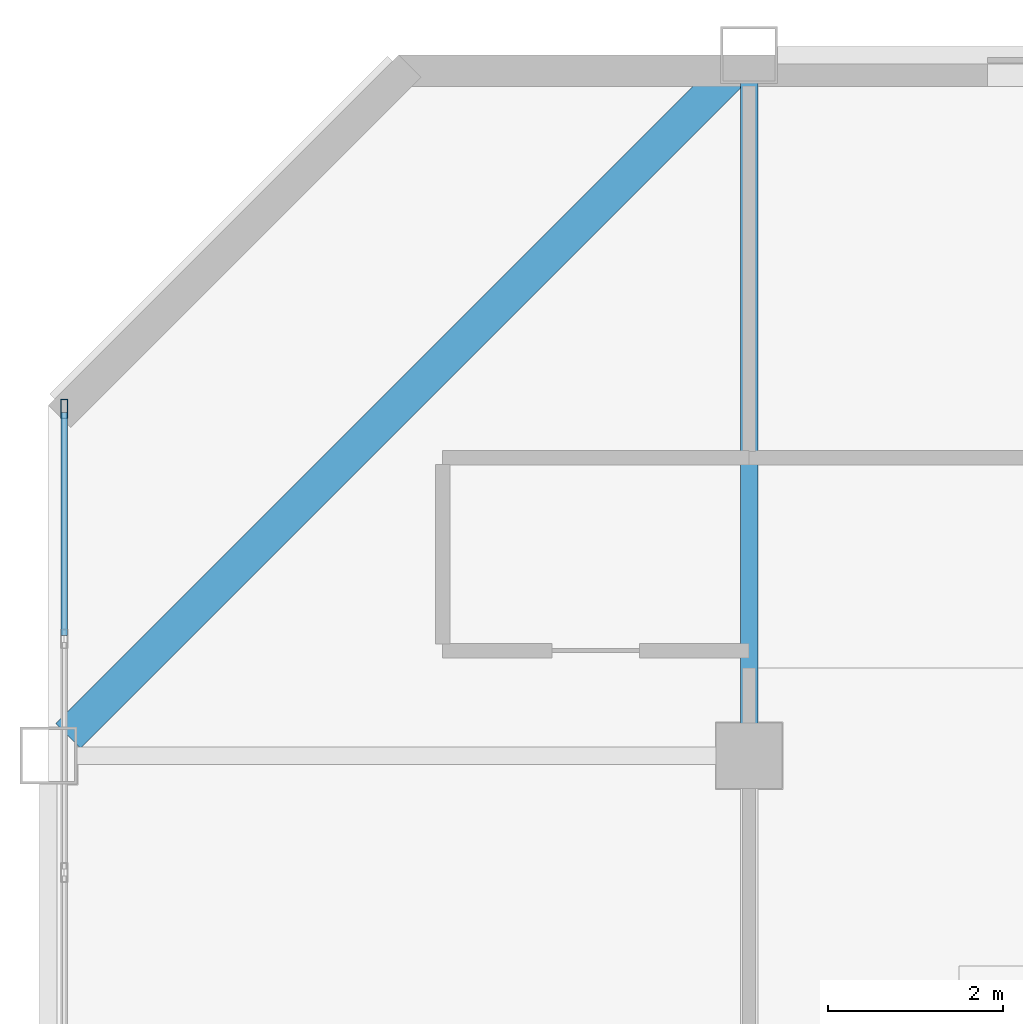
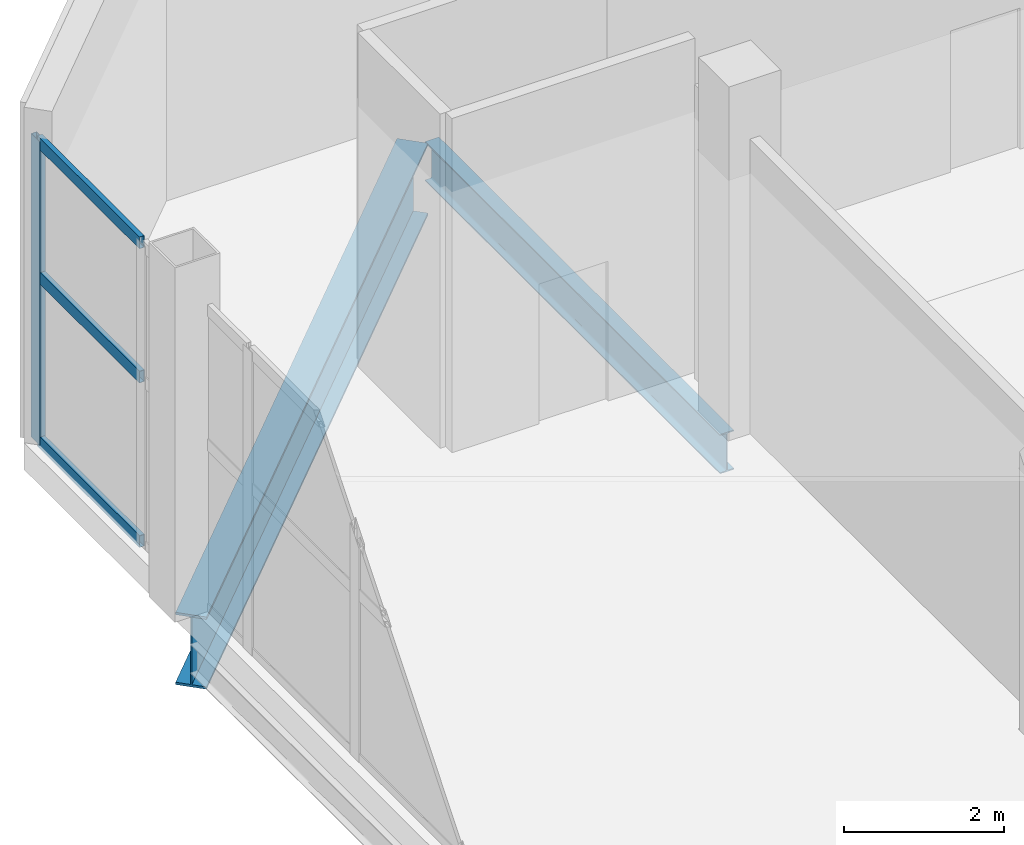
# One storey, part 6 of 17: 4 members, 2 beams, 1 element without a shape of its own.
"""IFC4 building model written with IfcOpenShell, lengths in metres."""

from ifc_helpers import new_model, si_unit, direction, frame, origin, origin_2d, place, context, subcontext, project, spatial, hollow_rectangle, i_section, extrude, material, layer, layer_set, material_profile, profile_set, type_object, element, aggregate, save


model = new_model("IFC4")

# Units and contexts
model_context = context("Model", 3, precision=1e-05, world=origin(), true_north=direction((0.0, 1.0)))
body_context = subcontext(model_context, "Body", "Model", "MODEL_VIEW")
ifc_project = project(units=[si_unit("LENGTHUNIT", "METRE"), si_unit("AREAUNIT", "SQUARE_METRE"), si_unit("VOLUMEUNIT", "CUBIC_METRE"), si_unit("PLANEANGLEUNIT", "RADIAN"), si_unit("MASSUNIT", "GRAM", prefix="KILO")], contexts=[model_context])

# Site, building, storey
site_placement = place(None, origin())
site = spatial("IfcSite", under=ifc_project, at=site_placement, CompositionType="ELEMENT")
building_placement = place(site_placement, origin())
building = spatial("IfcBuilding", under=site, at=building_placement, Name="Qianrong Seaharbour Tower", CompositionType="ELEMENT")
storey_placement = place(building_placement, frame((0.0, 0.0, 373.0)))
storey = spatial("IfcBuildingStorey", under=building, at=storey_placement, Name="L90", CompositionType="ELEMENT", Elevation=373.0)

# Beams
ifc_material_1 = material(Name="Structural steel SN490B", Category="steel")
ifc_material_profile_1 = material_profile(ifc_material_1, i_section(OverallWidth=0.199951171875, OverallDepth=0.60009765625, WebThickness=0.010986328125, FlangeThickness=0.01708984375, FilletRadius=0.02197265625, at=origin_2d()), Name="H600x200x11x17")
ifc_profile_set_1 = profile_set([ifc_material_profile_1], Name="Structural steel SN490B")
beam_type_1 = type_object("IfcBeamType", Name="BM-G-600", PredefinedType="BEAM", material=ifc_profile_set_1)
beam_1_placement = place(storey_placement, frame((24.5, 44.320068359375, -0.7099609375), z_axis=(0.0, 1.0, 0.0), x_axis=(-1.0, 0.0, 0.0)))
element("IfcBeam", 1, at=beam_1_placement, inside=storey, type_object=beam_type_1, Name="L90 Primary Girder G4 GG-GH", PredefinedType="BEAM", context=body_context, shape_type="SweptSolid", body=[
    extrude(i_section(OverallWidth=0.199951171875, OverallDepth=0.60009765625, WebThickness=0.010986328125, FlangeThickness=0.01708984375, FilletRadius=0.02197265625, at=origin_2d()), origin(), (0.0, 0.0, 1.0), 7.35986328125),
])
ifc_material_profile_2 = material_profile(ifc_material_1, i_section(OverallWidth=0.39990234375, OverallDepth=1.10009765625, WebThickness=0.02001953125, FlangeThickness=0.035888671875, at=origin_2d()), Name="BH1100x400x20x36")
ifc_profile_set_2 = profile_set([ifc_material_profile_2], Name="Structural steel SN490B")
beam_type_2 = type_object("IfcBeamType", Name="BM-TG-1100", PredefinedType="BEAM", material=ifc_profile_set_2)
beam_2_placement = place(storey_placement, frame((24.273681640625, 51.773681640625, -0.9599609375), z_axis=(-0.707106781187, -0.707106781187, 0.0), x_axis=(0.707106781187, -0.707106781187, 0.0)))
element("IfcBeam", 2, at=beam_2_placement, inside=storey, type_object=beam_type_2, Name="L90 Chamfer Corner Spandrel Girder G3/GH", PredefinedType="BEAM", context=body_context, shape_type="SweptSolid", body=[
    extrude(i_section(OverallWidth=0.39990234375, OverallDepth=1.10009765625, WebThickness=0.02001953125, FlangeThickness=0.035888671875, at=origin_2d()), origin(), (0.0, 0.0, 1.0), 10.673583984375),
])

# Curtain wall, members
ifc_material_2 = material(Name="Anodised aluminium 6063-T6 and laminated low-e glass", Category="aluminium")
ifc_layer = layer(ifc_material_2, 0.239990234375)
ifc_layer_set = layer_set([ifc_layer], Name="Anodised aluminium 6063-T6 and laminated low-e glass")
curtain_wall_type = type_object("IfcCurtainWallType", Name="CW-SYS-6", PredefinedType="NOTDEFINED", material=ifc_layer_set)
curtain_wall_placement = place(storey_placement, origin())
curtain_wall = element("IfcCurtainWall", 3, at=curtain_wall_placement, inside=storey, type_object=curtain_wall_type, Name="L90 TMD Exhibition Lantern Translucent Curtain Wall WEST_TIP", PredefinedType="NOTDEFINED")
ifc_material_3 = material(Name="Extruded aluminium 6063-T6", Category="aluminium")
ifc_material_profile_3 = material_profile(ifc_material_3, hollow_rectangle(XDim=0.080078125, YDim=0.219970703125, WallThickness=0.0048828125, at=origin_2d()), Name="ALU-MUL-220x80x5")
ifc_profile_set_3 = profile_set([ifc_material_profile_3], Name="Extruded aluminium 6063-T6")
member_type_1 = type_object("IfcMemberType", Name="CW-MUL-220", PredefinedType="MULLION", material=ifc_profile_set_3)
member_1_placement = place(storey_placement, frame((16.679931640625, 47.9599609375, 0.0), z_axis=(0.0, 0.0, 1.0), x_axis=(-1.0, 0.0, 0.0)))
member_1 = element("IfcMember", 4, at=member_1_placement, type_object=member_type_1, Name="CW-6 mullion 7", PredefinedType="MULLION", context=body_context, shape_type="SweptSolid", body=[
    extrude(hollow_rectangle(XDim=0.080078125, YDim=0.219970703125, WallThickness=0.0048828125, at=origin_2d()), origin(), (0.0, 0.0, 1.0), 4.6201171875),
])
ifc_material_profile_4 = material_profile(ifc_material_3, hollow_rectangle(XDim=0.070068359375, YDim=0.179931640625, WallThickness=0.00390625, at=origin_2d()), Name="ALU-TRN-180x70x4")
ifc_profile_set_4 = profile_set([ifc_material_profile_4], Name="Extruded aluminium 6063-T6")
member_type_2 = type_object("IfcMemberType", Name="CW-TRN-180", PredefinedType="USERDEFINED", material=ifc_profile_set_4)
member_2_placement = place(storey_placement, frame((16.679931640625, 45.373291015625, 0.034912109375), z_axis=(0.0, 1.0, 0.0), x_axis=(-1.0, 0.0, 0.0)))
member_2 = element("IfcMember", 5, at=member_2_placement, type_object=member_type_2, Name="CW-6 transom 6.1", ObjectType="TRANSOM", PredefinedType="USERDEFINED", context=body_context, shape_type="SweptSolid", body=[
    extrude(hollow_rectangle(XDim=0.070068359375, YDim=0.179931640625, WallThickness=0.00390625, at=origin_2d()), origin(), (0.0, 0.0, 1.0), 2.546630859375),
])
member_3_placement = place(storey_placement, frame((16.679931640625, 45.373291015625, 2.541015625), z_axis=(0.0, 1.0, 0.0), x_axis=(-1.0, 0.0, 0.0)))
member_3 = element("IfcMember", 6, at=member_3_placement, type_object=member_type_2, Name="CW-6 transom 6.2", ObjectType="TRANSOM", PredefinedType="USERDEFINED", context=body_context, shape_type="SweptSolid", body=[
    extrude(hollow_rectangle(XDim=0.070068359375, YDim=0.179931640625, WallThickness=0.00390625, at=origin_2d()), origin(), (0.0, 0.0, 1.0), 2.546630859375),
])
member_4_placement = place(storey_placement, frame((16.679931640625, 45.373291015625, 4.5849609375), z_axis=(0.0, 1.0, 0.0), x_axis=(-1.0, 0.0, 0.0)))
member_4 = element("IfcMember", 7, at=member_4_placement, type_object=member_type_2, Name="CW-6 transom 6.3", ObjectType="TRANSOM", PredefinedType="USERDEFINED", context=body_context, shape_type="SweptSolid", body=[
    extrude(hollow_rectangle(XDim=0.070068359375, YDim=0.179931640625, WallThickness=0.00390625, at=origin_2d()), origin(), (0.0, 0.0, 1.0), 2.546630859375),
])
aggregate(curtain_wall, [member_1, member_2, member_3, member_4])

save(model, "model.ifc")
